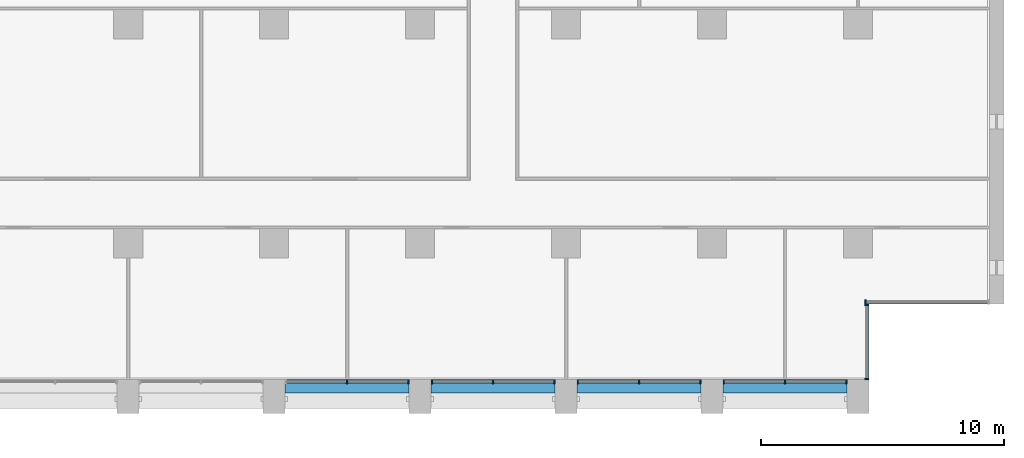
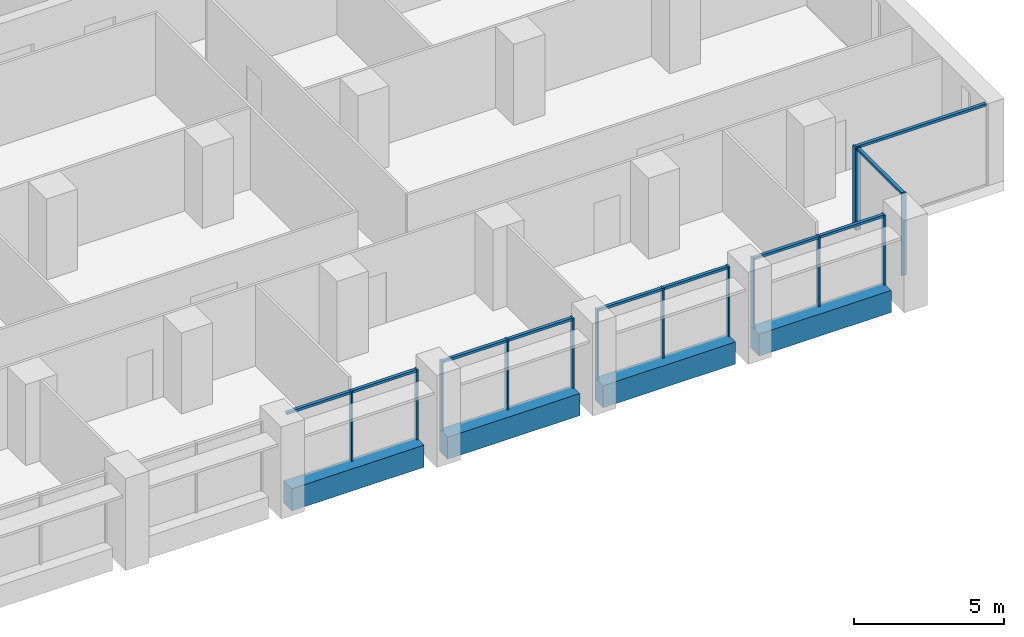
# One storey, part 3 of 17: 24 members, 4 beams, 6 elements without a shape of their own.
"""IFC4 building model written with IfcOpenShell, lengths in metres."""

from ifc_helpers import new_model, si_unit, direction, frame, origin, origin_2d, place, context, subcontext, project, spatial, rectangle, extrude, material, material_profile, profile_set, type_object, element, aggregate, save


model = new_model("IFC4")

# Units and contexts
model_context = context("Model", 3, precision=1e-05, world=origin(), true_north=direction((0.0, 1.0)))
body_context = subcontext(model_context, "Body", "Model", "MODEL_VIEW")
ifc_project = project(units=[si_unit("LENGTHUNIT", "METRE"), si_unit("AREAUNIT", "SQUARE_METRE"), si_unit("VOLUMEUNIT", "CUBIC_METRE"), si_unit("PLANEANGLEUNIT", "RADIAN"), si_unit("MASSUNIT", "GRAM", prefix="KILO")], contexts=[model_context])

# Site, building, storey
site_placement = place(None, origin())
site = spatial("IfcSite", under=ifc_project, at=site_placement, CompositionType="ELEMENT")
building_placement = place(site_placement, origin())
building = spatial("IfcBuilding", under=site, at=building_placement, Name="Calvaro Tower", CompositionType="ELEMENT")
storey_placement = place(building_placement, frame((0.0, 0.0, 174.25)))
storey = spatial("IfcBuildingStorey", under=building, at=storey_placement, Name="L43", CompositionType="ELEMENT", Elevation=174.25)

# Curtain wall, members
ifc_material_1 = material(Name="Anodised aluminium", Category="aluminium")
curtain_wall_type = type_object("IfcCurtainWallType", Name="Office curtain wall, upper zone", PredefinedType="NOTDEFINED", material=ifc_material_1)
curtain_wall_1_placement = place(storey_placement, origin())
curtain_wall_1 = element("IfcCurtainWall", 1, at=curtain_wall_1_placement, inside=storey, type_object=curtain_wall_type, Name="CW3 south curtain wall", PredefinedType="NOTDEFINED")
ifc_material_2 = material(Name="Anodised aluminium", Category="aluminium")
ifc_material_profile_1 = material_profile(ifc_material_2, rectangle(XDim=0.179931640625, YDim=0.06005859375, at=origin_2d()), Name="Mullion S3 60 x 180")
ifc_profile_set_1 = profile_set([ifc_material_profile_1], Name="Anodised aluminium")
member_type_1 = type_object("IfcMemberType", Name="Mullion S3 60 x 180", PredefinedType="MULLION", material=ifc_profile_set_1)
member_1_placement = place(storey_placement, frame((45.0, 4.31005859375, 0.0), z_axis=(0.0, 0.0, 1.0), x_axis=(0.0, 1.0, 0.0)))
member_1 = element("IfcMember", 2, at=member_1_placement, type_object=member_type_1, Name="CW3 mullion 2", PredefinedType="MULLION", context=body_context, shape_type="SweptSolid", body=[
    extrude(rectangle(XDim=0.179931640625, YDim=0.06005859375, at=origin_2d()), origin(), (0.0, 0.0, 1.0), 2.85009765625),
])
member_2_placement = place(storey_placement, frame((47.52001953125, 4.31005859375, 0.0), z_axis=(0.0, 0.0, 1.0), x_axis=(0.0, 1.0, 0.0)))
member_2 = element("IfcMember", 3, at=member_2_placement, type_object=member_type_1, Name="CW3 mullion 3", PredefinedType="MULLION", context=body_context, shape_type="SweptSolid", body=[
    extrude(rectangle(XDim=0.179931640625, YDim=0.06005859375, at=origin_2d()), origin(), (0.0, 0.0, 1.0), 2.85009765625),
])

curtain_wall_2_placement = place(storey_placement, origin())
curtain_wall_2 = element("IfcCurtainWall", 4, at=curtain_wall_2_placement, inside=storey, type_object=curtain_wall_type, Name="CW3 south curtain wall", PredefinedType="NOTDEFINED")
member_3_placement = place(storey_placement, frame((48.47998046875, 4.31005859375, 0.0), z_axis=(0.0, 0.0, 1.0), x_axis=(0.0, 1.0, 0.0)))
member_3 = element("IfcMember", 5, at=member_3_placement, type_object=member_type_1, Name="CW3 mullion 1", PredefinedType="MULLION", context=body_context, shape_type="SweptSolid", body=[
    extrude(rectangle(XDim=0.179931640625, YDim=0.06005859375, at=origin_2d()), origin(), (0.0, 0.0, 1.0), 2.85009765625),
])
member_4_placement = place(storey_placement, frame((51.0, 4.31005859375, 0.0), z_axis=(0.0, 0.0, 1.0), x_axis=(0.0, 1.0, 0.0)))
member_4 = element("IfcMember", 6, at=member_4_placement, type_object=member_type_1, Name="CW3 mullion 2", PredefinedType="MULLION", context=body_context, shape_type="SweptSolid", body=[
    extrude(rectangle(XDim=0.179931640625, YDim=0.06005859375, at=origin_2d()), origin(), (0.0, 0.0, 1.0), 2.85009765625),
])
member_5_placement = place(storey_placement, frame((53.52001953125, 4.31005859375, 0.0), z_axis=(0.0, 0.0, 1.0), x_axis=(0.0, 1.0, 0.0)))
member_5 = element("IfcMember", 7, at=member_5_placement, type_object=member_type_1, Name="CW3 mullion 3", PredefinedType="MULLION", context=body_context, shape_type="SweptSolid", body=[
    extrude(rectangle(XDim=0.179931640625, YDim=0.06005859375, at=origin_2d()), origin(), (0.0, 0.0, 1.0), 2.85009765625),
])

curtain_wall_3_placement = place(storey_placement, origin())
curtain_wall_3 = element("IfcCurtainWall", 8, at=curtain_wall_3_placement, inside=storey, type_object=curtain_wall_type, Name="CW3 south curtain wall", PredefinedType="NOTDEFINED")
member_6_placement = place(storey_placement, frame((54.47998046875, 4.31005859375, 0.0), z_axis=(0.0, 0.0, 1.0), x_axis=(0.0, 1.0, 0.0)))
member_6 = element("IfcMember", 9, at=member_6_placement, type_object=member_type_1, Name="CW3 mullion 1", PredefinedType="MULLION", context=body_context, shape_type="SweptSolid", body=[
    extrude(rectangle(XDim=0.179931640625, YDim=0.06005859375, at=origin_2d()), origin(), (0.0, 0.0, 1.0), 2.85009765625),
])
member_7_placement = place(storey_placement, frame((57.0, 4.31005859375, 0.0), z_axis=(0.0, 0.0, 1.0), x_axis=(0.0, 1.0, 0.0)))
member_7 = element("IfcMember", 10, at=member_7_placement, type_object=member_type_1, Name="CW3 mullion 2", PredefinedType="MULLION", context=body_context, shape_type="SweptSolid", body=[
    extrude(rectangle(XDim=0.179931640625, YDim=0.06005859375, at=origin_2d()), origin(), (0.0, 0.0, 1.0), 2.85009765625),
])
member_8_placement = place(storey_placement, frame((59.52001953125, 4.31005859375, 0.0), z_axis=(0.0, 0.0, 1.0), x_axis=(0.0, 1.0, 0.0)))
member_8 = element("IfcMember", 11, at=member_8_placement, type_object=member_type_1, Name="CW3 mullion 3", PredefinedType="MULLION", context=body_context, shape_type="SweptSolid", body=[
    extrude(rectangle(XDim=0.179931640625, YDim=0.06005859375, at=origin_2d()), origin(), (0.0, 0.0, 1.0), 2.85009765625),
])

curtain_wall_4_placement = place(storey_placement, origin())
curtain_wall_4 = element("IfcCurtainWall", 12, at=curtain_wall_4_placement, inside=storey, type_object=curtain_wall_type, Name="CW3 south curtain wall", PredefinedType="NOTDEFINED")
member_9_placement = place(storey_placement, frame((60.47998046875, 4.31005859375, 0.0), z_axis=(0.0, 0.0, 1.0), x_axis=(0.0, 1.0, 0.0)))
member_9 = element("IfcMember", 13, at=member_9_placement, type_object=member_type_1, Name="CW3 mullion 1", PredefinedType="MULLION", context=body_context, shape_type="SweptSolid", body=[
    extrude(rectangle(XDim=0.179931640625, YDim=0.06005859375, at=origin_2d()), origin(), (0.0, 0.0, 1.0), 2.85009765625),
])
member_10_placement = place(storey_placement, frame((63.0, 4.31005859375, 0.0), z_axis=(0.0, 0.0, 1.0), x_axis=(0.0, 1.0, 0.0)))
member_10 = element("IfcMember", 14, at=member_10_placement, type_object=member_type_1, Name="CW3 mullion 2", PredefinedType="MULLION", context=body_context, shape_type="SweptSolid", body=[
    extrude(rectangle(XDim=0.179931640625, YDim=0.06005859375, at=origin_2d()), origin(), (0.0, 0.0, 1.0), 2.85009765625),
])
member_11_placement = place(storey_placement, frame((65.52001953125, 4.31005859375, 0.0), z_axis=(0.0, 0.0, 1.0), x_axis=(0.0, 1.0, 0.0)))
member_11 = element("IfcMember", 15, at=member_11_placement, type_object=member_type_1, Name="CW3 mullion 3", PredefinedType="MULLION", context=body_context, shape_type="SweptSolid", body=[
    extrude(rectangle(XDim=0.179931640625, YDim=0.06005859375, at=origin_2d()), origin(), (0.0, 0.0, 1.0), 2.85009765625),
])

curtain_wall_5_placement = place(storey_placement, origin())
curtain_wall_5 = element("IfcCurtainWall", 16, at=curtain_wall_5_placement, inside=storey, type_object=curtain_wall_type, Name="CW3 corner curtain wall", PredefinedType="NOTDEFINED")
member_12_placement = place(storey_placement, frame((66.360107421875, 4.429931640625, 0.0), z_axis=(0.0, 0.0, 1.0), x_axis=(-1.0, 0.0, 0.0)))
member_12 = element("IfcMember", 17, at=member_12_placement, type_object=member_type_1, Name="CW3 mullion 1", PredefinedType="MULLION", context=body_context, shape_type="SweptSolid", body=[
    extrude(rectangle(XDim=0.179931640625, YDim=0.06005859375, at=origin_2d()), origin(), (0.0, 0.0, 1.0), 3.35009765625),
])
member_13_placement = place(storey_placement, frame((66.360107421875, 7.469970703125, 0.0), z_axis=(0.0, 0.0, 1.0), x_axis=(-1.0, 0.0, 0.0)))
member_13 = element("IfcMember", 18, at=member_13_placement, type_object=member_type_1, Name="CW3 mullion 2", PredefinedType="MULLION", context=body_context, shape_type="SweptSolid", body=[
    extrude(rectangle(XDim=0.179931640625, YDim=0.06005859375, at=origin_2d()), origin(), (0.0, 0.0, 1.0), 3.35009765625),
])

# Curtain wall, member
curtain_wall_6_placement = place(storey_placement, origin())
curtain_wall_6 = element("IfcCurtainWall", 19, at=curtain_wall_6_placement, inside=storey, type_object=curtain_wall_type, Name="CW3 corner curtain wall", PredefinedType="NOTDEFINED")
member_14_placement = place(storey_placement, frame((66.300048828125, 7.590087890625, 0.0), z_axis=(0.0, 0.0, 1.0), x_axis=(0.0, 1.0, 0.0)))
member_14 = element("IfcMember", 20, at=member_14_placement, type_object=member_type_1, Name="CW3 mullion 1", PredefinedType="MULLION", context=body_context, shape_type="SweptSolid", body=[
    extrude(rectangle(XDim=0.179931640625, YDim=0.06005859375, at=origin_2d()), origin(), (0.0, 0.0, 1.0), 3.35009765625),
])

# Beams
ifc_material_3 = material(Name="Concrete C50/60 precast", Category="concrete")
ifc_material_profile_2 = material_profile(ifc_material_3, rectangle(XDim=0.550048828125, YDim=0.89990234375, at=origin_2d()), Name="RC 550x900")
ifc_profile_set_2 = profile_set([ifc_material_profile_2], Name="Concrete C50/60 precast")
beam_type = type_object("IfcBeamType", Name="Spandrel beam 550x900 C50/60", PredefinedType="SPANDREL", material=ifc_profile_set_2)
for number, where, z_axis, x_axis, name in (
    (21, (42.449951171875, 4.125, -0.449951171875), (1.0, 0.0, 0.0), (0.0, 1.0, 0.0), "Spandrel beam"),
    (22, (48.449951171875, 4.125, -0.449951171875), (1.0, 0.0, 0.0), (0.0, 1.0, 0.0), "Spandrel beam"),
    (23, (54.449951171875, 4.125, -0.449951171875), (1.0, 0.0, 0.0), (0.0, 1.0, 0.0), "Spandrel beam"),
    (24, (60.449951171875, 4.125, -0.449951171875), (1.0, 0.0, 0.0), (0.0, 1.0, 0.0), "Spandrel beam"),
):
    element("IfcBeam", number, at=place(storey_placement, frame(where, z_axis=z_axis, x_axis=x_axis)), inside=storey, type_object=beam_type, Name=name, PredefinedType="SPANDREL", context=body_context, shape_type="SweptSolid", body=[
        extrude(rectangle(XDim=0.550048828125, YDim=0.89990234375, at=origin_2d()), origin(), (0.0, 0.0, 1.0), 5.10009765625),
    ])

# Member
ifc_material_4 = material(Name="Anodised aluminium", Category="aluminium")
ifc_material_profile_3 = material_profile(ifc_material_4, rectangle(XDim=0.1201171875, YDim=0.10009765625, at=origin_2d()), Name="Transom S3 100 x 120")
ifc_profile_set_3 = profile_set([ifc_material_profile_3], Name="Anodised aluminium")
member_type_2 = type_object("IfcMemberType", Name="Transom S3 100 x 120", PredefinedType="USERDEFINED", material=ifc_profile_set_3)
member_15_placement = place(storey_placement, frame((42.510009765625, 4.31005859375, 2.800048828125), z_axis=(1.0, 0.0, 0.0), x_axis=(0.0, 1.0, 0.0)))
member_15 = element("IfcMember", 25, at=member_15_placement, type_object=member_type_2, Name="CW3 transom 1.1", ObjectType="TRANSOM", PredefinedType="USERDEFINED", context=body_context, shape_type="SweptSolid", body=[
    extrude(rectangle(XDim=0.1201171875, YDim=0.10009765625, at=origin_2d()), origin(), (0.0, 0.0, 1.0), 2.4599609375),
])

member_16_placement = place(storey_placement, frame((45.030029296875, 4.31005859375, 2.800048828125), z_axis=(1.0, 0.0, 0.0), x_axis=(0.0, 1.0, 0.0)))
member_16 = element("IfcMember", 26, at=member_16_placement, type_object=member_type_2, Name="CW3 transom 2.1", ObjectType="TRANSOM", PredefinedType="USERDEFINED", context=body_context, shape_type="SweptSolid", body=[
    extrude(rectangle(XDim=0.1201171875, YDim=0.10009765625, at=origin_2d()), origin(), (0.0, 0.0, 1.0), 2.4599609375),
])

aggregate(curtain_wall_1, [member_1, member_2, member_15, member_16])

member_17_placement = place(storey_placement, frame((48.510009765625, 4.31005859375, 2.800048828125), z_axis=(1.0, 0.0, 0.0), x_axis=(0.0, 1.0, 0.0)))
member_17 = element("IfcMember", 27, at=member_17_placement, type_object=member_type_2, Name="CW3 transom 1.1", ObjectType="TRANSOM", PredefinedType="USERDEFINED", context=body_context, shape_type="SweptSolid", body=[
    extrude(rectangle(XDim=0.1201171875, YDim=0.10009765625, at=origin_2d()), origin(), (0.0, 0.0, 1.0), 2.4599609375),
])

member_18_placement = place(storey_placement, frame((51.030029296875, 4.31005859375, 2.800048828125), z_axis=(1.0, 0.0, 0.0), x_axis=(0.0, 1.0, 0.0)))
member_18 = element("IfcMember", 28, at=member_18_placement, type_object=member_type_2, Name="CW3 transom 2.1", ObjectType="TRANSOM", PredefinedType="USERDEFINED", context=body_context, shape_type="SweptSolid", body=[
    extrude(rectangle(XDim=0.1201171875, YDim=0.10009765625, at=origin_2d()), origin(), (0.0, 0.0, 1.0), 2.4599609375),
])

aggregate(curtain_wall_2, [member_3, member_4, member_5, member_17, member_18])

member_19_placement = place(storey_placement, frame((54.510009765625, 4.31005859375, 2.800048828125), z_axis=(1.0, 0.0, 0.0), x_axis=(0.0, 1.0, 0.0)))
member_19 = element("IfcMember", 29, at=member_19_placement, type_object=member_type_2, Name="CW3 transom 1.1", ObjectType="TRANSOM", PredefinedType="USERDEFINED", context=body_context, shape_type="SweptSolid", body=[
    extrude(rectangle(XDim=0.1201171875, YDim=0.10009765625, at=origin_2d()), origin(), (0.0, 0.0, 1.0), 2.4599609375),
])

member_20_placement = place(storey_placement, frame((57.030029296875, 4.31005859375, 2.800048828125), z_axis=(1.0, 0.0, 0.0), x_axis=(0.0, 1.0, 0.0)))
member_20 = element("IfcMember", 30, at=member_20_placement, type_object=member_type_2, Name="CW3 transom 2.1", ObjectType="TRANSOM", PredefinedType="USERDEFINED", context=body_context, shape_type="SweptSolid", body=[
    extrude(rectangle(XDim=0.1201171875, YDim=0.10009765625, at=origin_2d()), origin(), (0.0, 0.0, 1.0), 2.4599609375),
])

aggregate(curtain_wall_3, [member_6, member_7, member_8, member_19, member_20])

member_21_placement = place(storey_placement, frame((60.510009765625, 4.31005859375, 2.800048828125), z_axis=(1.0, 0.0, 0.0), x_axis=(0.0, 1.0, 0.0)))
member_21 = element("IfcMember", 31, at=member_21_placement, type_object=member_type_2, Name="CW3 transom 1.1", ObjectType="TRANSOM", PredefinedType="USERDEFINED", context=body_context, shape_type="SweptSolid", body=[
    extrude(rectangle(XDim=0.1201171875, YDim=0.10009765625, at=origin_2d()), origin(), (0.0, 0.0, 1.0), 2.4599609375),
])

member_22_placement = place(storey_placement, frame((63.030029296875, 4.31005859375, 2.800048828125), z_axis=(1.0, 0.0, 0.0), x_axis=(0.0, 1.0, 0.0)))
member_22 = element("IfcMember", 32, at=member_22_placement, type_object=member_type_2, Name="CW3 transom 2.1", ObjectType="TRANSOM", PredefinedType="USERDEFINED", context=body_context, shape_type="SweptSolid", body=[
    extrude(rectangle(XDim=0.1201171875, YDim=0.10009765625, at=origin_2d()), origin(), (0.0, 0.0, 1.0), 2.4599609375),
])

aggregate(curtain_wall_4, [member_9, member_10, member_11, member_21, member_22])

member_23_placement = place(storey_placement, frame((66.360107421875, 4.4599609375, 3.300048828125), z_axis=(0.0, 1.0, 0.0), x_axis=(-1.0, 0.0, 0.0)))
member_23 = element("IfcMember", 33, at=member_23_placement, type_object=member_type_2, Name="CW3 transom 1.1", ObjectType="TRANSOM", PredefinedType="USERDEFINED", context=body_context, shape_type="SweptSolid", body=[
    extrude(rectangle(XDim=0.1201171875, YDim=0.10009765625, at=origin_2d()), origin(), (0.0, 0.0, 1.0), 2.97998046875),
])

aggregate(curtain_wall_5, [member_12, member_13, member_23])

member_24_placement = place(storey_placement, frame((66.330078125, 7.590087890625, 3.300048828125), z_axis=(1.0, 0.0, 0.0), x_axis=(0.0, 1.0, 0.0)))
member_24 = element("IfcMember", 34, at=member_24_placement, type_object=member_type_2, Name="CW3 transom 1.1", ObjectType="TRANSOM", PredefinedType="USERDEFINED", context=body_context, shape_type="SweptSolid", body=[
    extrude(rectangle(XDim=0.1201171875, YDim=0.10009765625, at=origin_2d()), origin(), (0.0, 0.0, 1.0), 5.010009765625),
])

aggregate(curtain_wall_6, [member_14, member_24])

save(model, "model.ifc")
